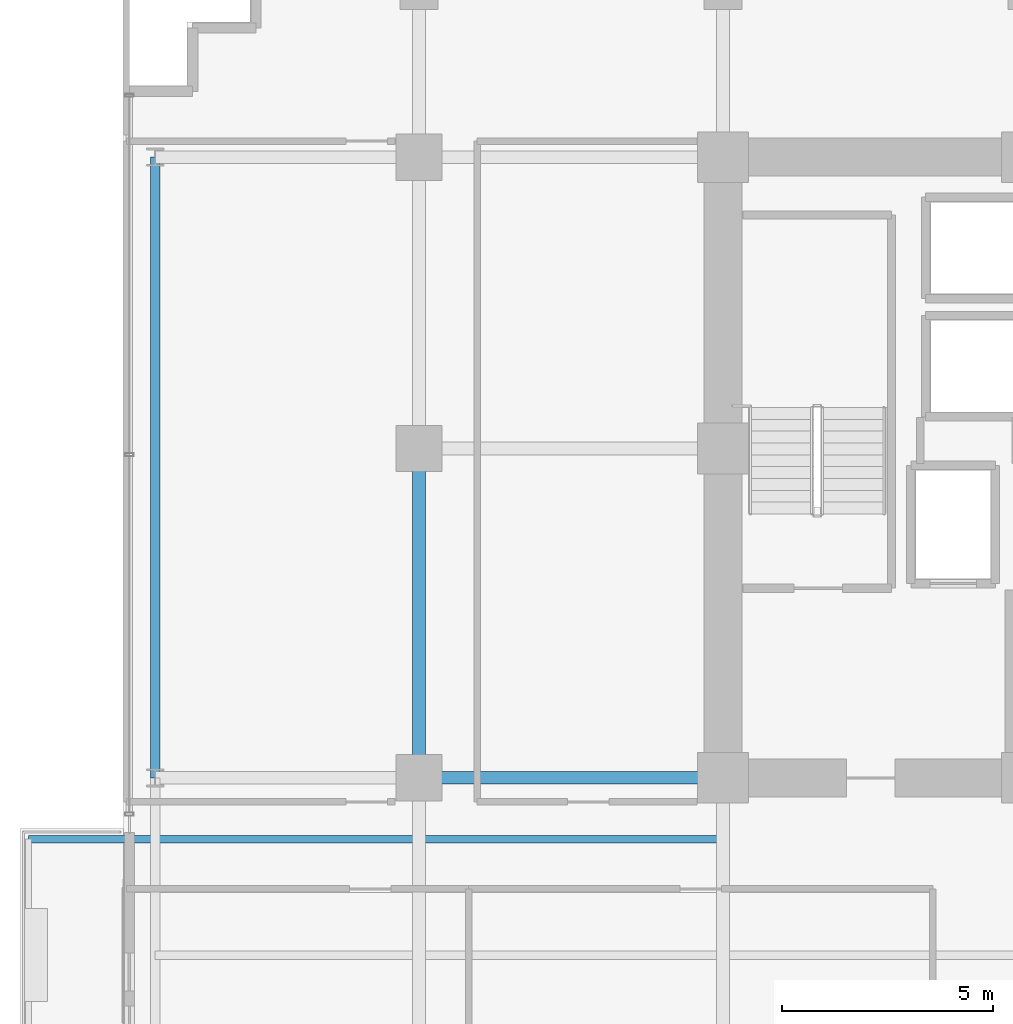
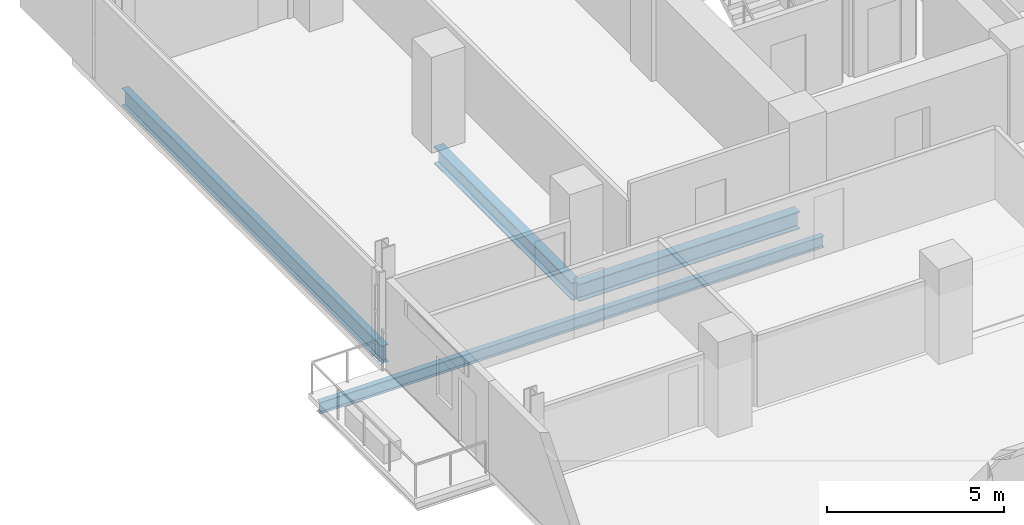
# One storey, part 6 of 32: 4 beams.
"""IFC4 building model written with IfcOpenShell, lengths in metres."""

from ifc_helpers import new_model, si_unit, direction, frame, origin, origin_2d, place, context, subcontext, project, spatial, i_section, extrude, material, material_profile, profile_set, type_object, element, save


model = new_model("IFC4")

# Units and contexts
model_context = context("Model", 3, precision=1e-05, world=origin(), true_north=direction((0.0, 1.0)))
body_context = subcontext(model_context, "Body", "Model", "MODEL_VIEW")
ifc_project = project(units=[si_unit("LENGTHUNIT", "METRE"), si_unit("AREAUNIT", "SQUARE_METRE"), si_unit("VOLUMEUNIT", "CUBIC_METRE"), si_unit("PLANEANGLEUNIT", "RADIAN"), si_unit("MASSUNIT", "GRAM", prefix="KILO")], contexts=[model_context])

# Site, building, storey
site_placement = place(None, origin())
site = spatial("IfcSite", under=ifc_project, at=site_placement, CompositionType="ELEMENT")
building_placement = place(site_placement, origin())
building = spatial("IfcBuilding", under=site, at=building_placement, Name="Zarnakvel Exchange Tower", CompositionType="ELEMENT")
storey_placement = place(building_placement, frame((0.0, 0.0, 73.60009765625)))
storey = spatial("IfcBuildingStorey", under=building, at=storey_placement, Name="L20", CompositionType="ELEMENT", Elevation=73.60009765625)

# Beams
ifc_material = material(Name="Steel S355", Category="steel")
ifc_material_profile_1 = material_profile(ifc_material, i_section(OverallWidth=0.179931640625, OverallDepth=0.39990234375, WebThickness=0.008544921875, FlangeThickness=0.013427734375, FilletRadius=0.02099609375, at=origin_2d()))
ifc_profile_set_1 = profile_set([ifc_material_profile_1], Name="Steel S355")
beam_type_1 = type_object("IfcBeamType", Name="B-06", PredefinedType="JOIST", material=ifc_profile_set_1)
beam_1_placement = place(storey_placement, frame((-14.39990234375, -2.64990234375, -0.425048828125), z_axis=(-1.0, 0.0, 0.0), x_axis=(0.0, -1.0, 0.0)))
element("IfcBeam", 1, at=beam_1_placement, inside=storey, type_object=beam_type_1, Name="L20 Continuous West Loggia Beam N", PredefinedType="JOIST", context=body_context, shape_type="SweptSolid", body=[
    extrude(i_section(OverallWidth=0.179931640625, OverallDepth=0.39990234375, WebThickness=0.008544921875, FlangeThickness=0.013427734375, FilletRadius=0.02099609375, at=origin_2d()), origin(), (0.0, 0.0, 1.0), 16.4501953125),
])
ifc_material_profile_2 = material_profile(ifc_material, i_section(OverallWidth=0.300048828125, OverallDepth=0.60009765625, WebThickness=0.015380859375, FlangeThickness=0.030029296875, FilletRadius=0.027099609375, at=origin_2d()))
ifc_profile_set_2 = profile_set([ifc_material_profile_2], Name="Steel S355")
beam_type_2 = type_object("IfcBeamType", Name="G-04", PredefinedType="BEAM", material=ifc_profile_set_2)
beam_2_placement = place(storey_placement, frame((-21.60009765625, -1.199951171875, -0.525146484375), z_axis=(1.0, 0.0, 0.0), x_axis=(0.0, 1.0, 0.0)))
element("IfcBeam", 2, at=beam_2_placement, inside=storey, type_object=beam_type_2, Name="L20 Tower E-W Frame Beam", PredefinedType="BEAM", context=body_context, shape_type="SweptSolid", body=[
    extrude(i_section(OverallWidth=0.300048828125, OverallDepth=0.60009765625, WebThickness=0.015380859375, FlangeThickness=0.030029296875, FilletRadius=0.027099609375, at=origin_2d()), origin(), (0.0, 0.0, 1.0), 7.2001953125),
])
beam_3_placement = place(storey_placement, frame((-21.60009765625, -1.199951171875, -0.525146484375), z_axis=(0.0, 1.0, 0.0), x_axis=(-1.0, 0.0, 0.0)))
element("IfcBeam", 3, at=beam_3_placement, inside=storey, type_object=beam_type_2, Name="L20 Tower N-S Frame Beam", PredefinedType="BEAM", context=body_context, shape_type="SweptSolid", body=[
    extrude(i_section(OverallWidth=0.300048828125, OverallDepth=0.60009765625, WebThickness=0.015380859375, FlangeThickness=0.030029296875, FilletRadius=0.027099609375, at=origin_2d()), origin(), (0.0, 0.0, 1.0), 7.800048828125),
])
ifc_material_profile_3 = material_profile(ifc_material, i_section(OverallWidth=0.219970703125, OverallDepth=0.60009765625, WebThickness=0.011962890625, FlangeThickness=0.01904296875, FilletRadius=0.02392578125, at=origin_2d()))
ifc_profile_set_3 = profile_set([ifc_material_profile_3], Name="Steel S355")
beam_type_3 = type_object("IfcBeamType", Name="SP-01", PredefinedType="SPANDREL", material=ifc_profile_set_3)
beam_4_placement = place(storey_placement, frame((-27.85009765625, -1.199951171875, -0.525146484375), z_axis=(0.0, 1.0, 0.0), x_axis=(-1.0, 0.0, 0.0)))
element("IfcBeam", 4, at=beam_4_placement, inside=storey, type_object=beam_type_3, Name="L20 Tower N-S Frame Beam", PredefinedType="SPANDREL", context=body_context, shape_type="SweptSolid", body=[
    extrude(i_section(OverallWidth=0.219970703125, OverallDepth=0.60009765625, WebThickness=0.011962890625, FlangeThickness=0.01904296875, FilletRadius=0.02392578125, at=origin_2d()), origin(), (0.0, 0.0, 1.0), 14.699951171875),
])

save(model, "model.ifc")
